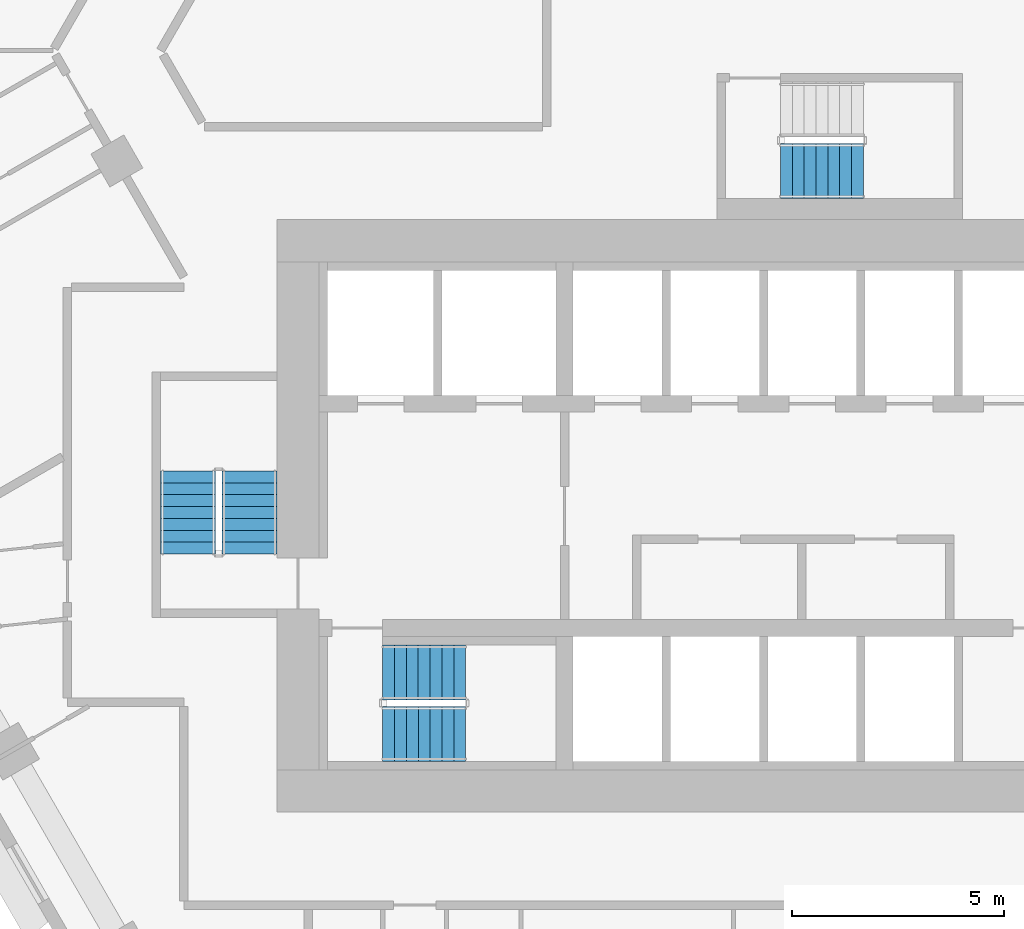
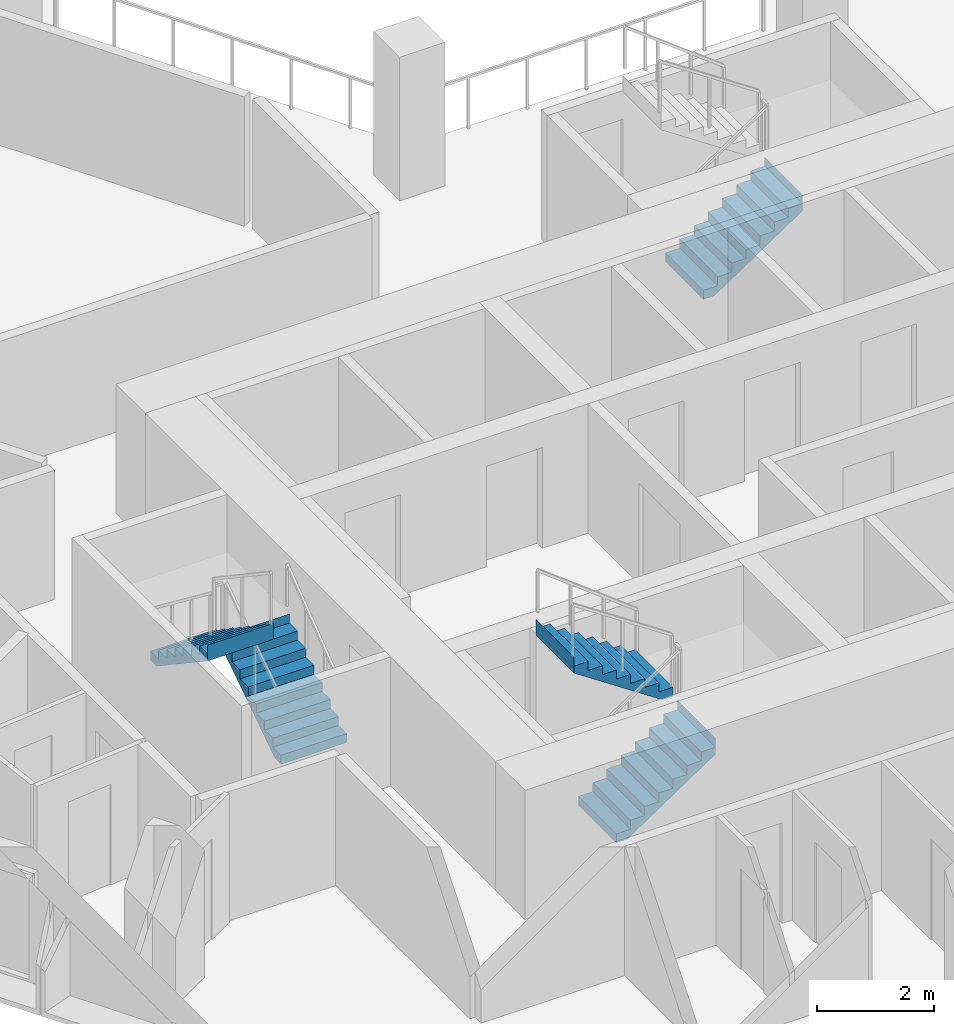
# One storey, part 10 of 15: 5 stair flights, 3 elements without a shape of their own.
"""IFC4 building model written with IfcOpenShell, lengths in metres."""

from ifc_helpers import new_model, si_unit, direction, frame, origin, place, context, subcontext, project, spatial, triangles, material, type_object, element, aggregate, save


model = new_model("IFC4")

# Units and contexts
model_context = context("Model", 3, precision=1e-05, world=origin(), true_north=direction((0.0, 1.0)))
body_context = subcontext(model_context, "Body", "Model", "MODEL_VIEW")
ifc_project = project(units=[si_unit("LENGTHUNIT", "METRE"), si_unit("AREAUNIT", "SQUARE_METRE"), si_unit("VOLUMEUNIT", "CUBIC_METRE"), si_unit("PLANEANGLEUNIT", "RADIAN"), si_unit("MASSUNIT", "GRAM", prefix="KILO")], contexts=[model_context])

# Site, building, storey
site_placement = place(None, origin())
site = spatial("IfcSite", under=ifc_project, at=site_placement, CompositionType="ELEMENT")
building_placement = place(site_placement, origin())
building = spatial("IfcBuilding", under=site, at=building_placement, Name="Beryl Residences", CompositionType="ELEMENT")
storey_placement = place(building_placement, frame((0.0, 0.0, 102.0)))
storey = spatial("IfcBuildingStorey", under=building, at=storey_placement, Name="L31", CompositionType="ELEMENT", Elevation=102.0)

# Stair, stair flights
ifc_material_1 = material(Name="Concrete C40/50", Category="concrete")
stair_type = type_object("IfcStairType", Name="ST1 protected exit stair, half-turn, 1300 mm flights", PredefinedType="HALF_TURN_STAIR", material=ifc_material_1)
stair_1_placement = place(storey_placement, origin())
stair_1 = element("IfcStair", 1, at=stair_1_placement, inside=storey, type_object=stair_type, Name="L31 PROTECTED EXIT STAIR ST-1", PredefinedType="HALF_TURN_STAIR")
ifc_material_2 = material(Name="Concrete C40/50", Category="concrete")
stair_flight_type = type_object("IfcStairFlightType", Name="SF1 stair flight 1300 mm", PredefinedType="STRAIGHT", material=ifc_material_2)
stair_flight_1_placement = place(storey_placement, frame((-10.800048828125, -17.14990234375, 0.0), z_axis=(0.0, 0.0, 1.0), x_axis=(1.0, 0.0, 0.0)))
stair_flight_1 = element("IfcStairFlight", 2, at=stair_flight_1_placement, type_object=stair_flight_type, Name="ST-1 flight 1", NumberOfRisers=8, NumberOfTreads=7, PredefinedType="STRAIGHT", RiserHeight=0.1875, TreadLength=0.28, context=body_context, shape_type="Tessellation", body=[
    triangles([(0.0, -0.64990234375, 0.0), (0.0, -0.324951171875, 0.0), (0.0, 0.0, 0.0), (0.0, 0.324951171875, 0.0), (0.0, 0.64990234375, 0.0), (0.0, -0.64990234375, 0.1875), (0.0, -0.324951171875, 0.1875), (0.0, 0.0, 0.1875), (0.0, 0.324951171875, 0.1875), (0.0, 0.64990234375, 0.1875), (0.280029296875, -0.64990234375, 0.1875), (0.280029296875, -0.324951171875, 0.1875), (0.280029296875, 0.0, 0.1875), (0.280029296875, 0.324951171875, 0.1875), (0.280029296875, 0.64990234375, 0.1875), (0.280029296875, -0.64990234375, 0.375), (0.280029296875, -0.324951171875, 0.375), (0.280029296875, 0.0, 0.375), (0.280029296875, 0.324951171875, 0.375), (0.280029296875, 0.64990234375, 0.375), (0.56005859375, -0.64990234375, 0.375), (0.56005859375, -0.324951171875, 0.375), (0.56005859375, 0.0, 0.375), (0.56005859375, 0.324951171875, 0.375), (0.56005859375, 0.64990234375, 0.375), (0.56005859375, -0.64990234375, 0.5625), (0.56005859375, -0.324951171875, 0.5625), (0.56005859375, 0.0, 0.5625), (0.56005859375, 0.324951171875, 0.5625), (0.56005859375, 0.64990234375, 0.5625), (0.840087890625, -0.64990234375, 0.5625), (0.840087890625, -0.324951171875, 0.5625), (0.840087890625, 0.0, 0.5625), (0.840087890625, 0.324951171875, 0.5625), (0.840087890625, 0.64990234375, 0.5625), (0.840087890625, -0.64990234375, 0.75), (0.840087890625, -0.324951171875, 0.75), (0.840087890625, 0.0, 0.75), (0.840087890625, 0.324951171875, 0.75), (0.840087890625, 0.64990234375, 0.75), (1.1201171875, -0.64990234375, 0.75), (1.1201171875, -0.324951171875, 0.75), (1.1201171875, 0.0, 0.75), (1.1201171875, 0.324951171875, 0.75), (1.1201171875, 0.64990234375, 0.75), (1.1201171875, -0.64990234375, 0.9375), (1.1201171875, -0.324951171875, 0.9375), (1.1201171875, 0.0, 0.9375), (1.1201171875, 0.324951171875, 0.9375), (1.1201171875, 0.64990234375, 0.9375), (1.39990234375, -0.64990234375, 0.9375), (1.39990234375, -0.324951171875, 0.9375), (1.39990234375, 0.0, 0.9375), (1.39990234375, 0.324951171875, 0.9375), (1.39990234375, 0.64990234375, 0.9375), (1.39990234375, -0.64990234375, 1.125), (1.39990234375, -0.324951171875, 1.125), (1.39990234375, 0.0, 1.125), (1.39990234375, 0.324951171875, 1.125), (1.39990234375, 0.64990234375, 1.125), (1.679931640625, -0.64990234375, 1.125), (1.679931640625, -0.324951171875, 1.125), (1.679931640625, 0.0, 1.125), (1.679931640625, 0.324951171875, 1.125), (1.679931640625, 0.64990234375, 1.125), (1.679931640625, -0.64990234375, 1.3125), (1.679931640625, -0.324951171875, 1.3125), (1.679931640625, 0.0, 1.3125), (1.679931640625, 0.324951171875, 1.3125), (1.679931640625, 0.64990234375, 1.3125), (1.9599609375, -0.64990234375, 1.3125), (1.9599609375, -0.324951171875, 1.3125), (1.9599609375, 0.0, 1.3125), (1.9599609375, 0.324951171875, 1.3125), (1.9599609375, 0.64990234375, 1.3125), (1.9599609375, -0.64990234375, 1.5), (1.9599609375, -0.324951171875, 1.5), (1.9599609375, 0.0, 1.5), (1.9599609375, 0.324951171875, 1.5), (1.9599609375, 0.64990234375, 1.5), (1.9609375, -0.64990234375, 1.5), (1.9609375, -0.324951171875, 1.5), (1.9609375, 0.0, 1.5), (1.9609375, 0.324951171875, 1.5), (1.9609375, 0.64990234375, 1.5), (1.9609375, -0.64990234375, 1.16796875), (1.9609375, -0.324951171875, 1.16796875), (1.9609375, 0.0, 1.16796875), (1.9609375, 0.324951171875, 1.16796875), (1.9609375, 0.64990234375, 1.16796875), (0.216796875, -0.64990234375, 0.0), (0.216796875, -0.324951171875, 0.0), (0.216796875, 0.0, 0.0), (0.216796875, 0.324951171875, 0.0), (0.216796875, 0.64990234375, 0.0)], [[1, 6, 7], [1, 7, 2], [2, 7, 8], [2, 8, 3], [3, 8, 9], [3, 9, 4], [4, 9, 10], [4, 10, 5], [6, 11, 12], [6, 12, 7], [7, 12, 13], [7, 13, 8], [8, 13, 14], [8, 14, 9], [9, 14, 15], [9, 15, 10], [11, 16, 17], [11, 17, 12], [12, 17, 18], [12, 18, 13], [13, 18, 19], [13, 19, 14], [14, 19, 20], [14, 20, 15], [16, 21, 22], [16, 22, 17], [17, 22, 23], [17, 23, 18], [18, 23, 24], [18, 24, 19], [19, 24, 25], [19, 25, 20], [21, 26, 27], [21, 27, 22], [22, 27, 28], [22, 28, 23], [23, 28, 29], [23, 29, 24], [24, 29, 30], [24, 30, 25], [26, 31, 32], [26, 32, 27], [27, 32, 33], [27, 33, 28], [28, 33, 34], [28, 34, 29], [29, 34, 35], [29, 35, 30], [31, 36, 37], [31, 37, 32], [32, 37, 38], [32, 38, 33], [33, 38, 39], [33, 39, 34], [34, 39, 40], [34, 40, 35], [36, 41, 42], [36, 42, 37], [37, 42, 43], [37, 43, 38], [38, 43, 44], [38, 44, 39], [39, 44, 45], [39, 45, 40], [41, 46, 47], [41, 47, 42], [42, 47, 48], [42, 48, 43], [43, 48, 49], [43, 49, 44], [44, 49, 50], [44, 50, 45], [46, 51, 52], [46, 52, 47], [47, 52, 53], [47, 53, 48], [48, 53, 54], [48, 54, 49], [49, 54, 55], [49, 55, 50], [51, 56, 57], [51, 57, 52], [52, 57, 58], [52, 58, 53], [53, 58, 59], [53, 59, 54], [54, 59, 60], [54, 60, 55], [56, 61, 62], [56, 62, 57], [57, 62, 63], [57, 63, 58], [58, 63, 64], [58, 64, 59], [59, 64, 65], [59, 65, 60], [61, 66, 67], [61, 67, 62], [62, 67, 68], [62, 68, 63], [63, 68, 69], [63, 69, 64], [64, 69, 70], [64, 70, 65], [66, 71, 72], [66, 72, 67], [67, 72, 73], [67, 73, 68], [68, 73, 74], [68, 74, 69], [69, 74, 75], [69, 75, 70], [71, 76, 77], [71, 77, 72], [72, 77, 78], [72, 78, 73], [73, 78, 79], [73, 79, 74], [74, 79, 80], [74, 80, 75], [76, 81, 82], [76, 82, 77], [77, 82, 83], [77, 83, 78], [78, 83, 84], [78, 84, 79], [79, 84, 85], [79, 85, 80], [81, 86, 87], [81, 87, 82], [82, 87, 88], [82, 88, 83], [83, 88, 89], [83, 89, 84], [84, 89, 90], [84, 90, 85], [86, 91, 92], [86, 92, 87], [87, 92, 93], [87, 93, 88], [88, 93, 94], [88, 94, 89], [89, 94, 95], [89, 95, 90], [91, 1, 2], [91, 2, 92], [92, 2, 3], [92, 3, 93], [93, 3, 4], [93, 4, 94], [94, 4, 5], [94, 5, 95], [1, 91, 86], [5, 90, 95], [86, 81, 76], [90, 80, 85], [86, 76, 71], [90, 75, 80], [86, 71, 66], [90, 70, 75], [86, 66, 61], [90, 65, 70], [61, 56, 51], [65, 55, 60], [86, 61, 51], [90, 55, 65], [51, 46, 41], [55, 45, 50], [86, 51, 41], [90, 45, 55], [41, 36, 31], [45, 35, 40], [86, 41, 31], [90, 35, 45], [31, 26, 21], [35, 25, 30], [86, 31, 21], [90, 25, 35], [21, 16, 11], [25, 15, 20], [86, 21, 11], [90, 15, 25], [1, 86, 11], [5, 15, 90], [11, 6, 1], [15, 5, 10]], closed=True),
])
stair_flight_2_placement = place(storey_placement, frame((-8.840087890625, -15.699951171875, 1.5), z_axis=(0.0, 0.0, 1.0), x_axis=(-1.0, 0.0, 0.0)))
stair_flight_2 = element("IfcStairFlight", 3, at=stair_flight_2_placement, type_object=stair_flight_type, Name="ST-1 flight 2", NumberOfRisers=8, NumberOfTreads=7, PredefinedType="STRAIGHT", RiserHeight=0.1875, TreadLength=0.28, context=body_context, shape_type="Tessellation", body=[
    triangles([(0.0, -0.64990234375, 0.0), (0.0, -0.324951171875, 0.0), (0.0, 0.0, 0.0), (0.0, 0.324951171875, 0.0), (0.0, 0.64990234375, 0.0), (0.0, -0.64990234375, 0.1875), (0.0, -0.324951171875, 0.1875), (0.0, 0.0, 0.1875), (0.0, 0.324951171875, 0.1875), (0.0, 0.64990234375, 0.1875), (0.280029296875, -0.64990234375, 0.1875), (0.280029296875, -0.324951171875, 0.1875), (0.280029296875, 0.0, 0.1875), (0.280029296875, 0.324951171875, 0.1875), (0.280029296875, 0.64990234375, 0.1875), (0.280029296875, -0.64990234375, 0.375), (0.280029296875, -0.324951171875, 0.375), (0.280029296875, 0.0, 0.375), (0.280029296875, 0.324951171875, 0.375), (0.280029296875, 0.64990234375, 0.375), (0.56005859375, -0.64990234375, 0.375), (0.56005859375, -0.324951171875, 0.375), (0.56005859375, 0.0, 0.375), (0.56005859375, 0.324951171875, 0.375), (0.56005859375, 0.64990234375, 0.375), (0.56005859375, -0.64990234375, 0.5625), (0.56005859375, -0.324951171875, 0.5625), (0.56005859375, 0.0, 0.5625), (0.56005859375, 0.324951171875, 0.5625), (0.56005859375, 0.64990234375, 0.5625), (0.840087890625, -0.64990234375, 0.5625), (0.840087890625, -0.324951171875, 0.5625), (0.840087890625, 0.0, 0.5625), (0.840087890625, 0.324951171875, 0.5625), (0.840087890625, 0.64990234375, 0.5625), (0.840087890625, -0.64990234375, 0.75), (0.840087890625, -0.324951171875, 0.75), (0.840087890625, 0.0, 0.75), (0.840087890625, 0.324951171875, 0.75), (0.840087890625, 0.64990234375, 0.75), (1.1201171875, -0.64990234375, 0.75), (1.1201171875, -0.324951171875, 0.75), (1.1201171875, 0.0, 0.75), (1.1201171875, 0.324951171875, 0.75), (1.1201171875, 0.64990234375, 0.75), (1.1201171875, -0.64990234375, 0.9375), (1.1201171875, -0.324951171875, 0.9375), (1.1201171875, 0.0, 0.9375), (1.1201171875, 0.324951171875, 0.9375), (1.1201171875, 0.64990234375, 0.9375), (1.39990234375, -0.64990234375, 0.9375), (1.39990234375, -0.324951171875, 0.9375), (1.39990234375, 0.0, 0.9375), (1.39990234375, 0.324951171875, 0.9375), (1.39990234375, 0.64990234375, 0.9375), (1.39990234375, -0.64990234375, 1.125), (1.39990234375, -0.324951171875, 1.125), (1.39990234375, 0.0, 1.125), (1.39990234375, 0.324951171875, 1.125), (1.39990234375, 0.64990234375, 1.125), (1.679931640625, -0.64990234375, 1.125), (1.679931640625, -0.324951171875, 1.125), (1.679931640625, 0.0, 1.125), (1.679931640625, 0.324951171875, 1.125), (1.679931640625, 0.64990234375, 1.125), (1.679931640625, -0.64990234375, 1.3125), (1.679931640625, -0.324951171875, 1.3125), (1.679931640625, 0.0, 1.3125), (1.679931640625, 0.324951171875, 1.3125), (1.679931640625, 0.64990234375, 1.3125), (1.9599609375, -0.64990234375, 1.3125), (1.9599609375, -0.324951171875, 1.3125), (1.9599609375, 0.0, 1.3125), (1.9599609375, 0.324951171875, 1.3125), (1.9599609375, 0.64990234375, 1.3125), (1.9599609375, -0.64990234375, 1.5), (1.9599609375, -0.324951171875, 1.5), (1.9599609375, 0.0, 1.5), (1.9599609375, 0.324951171875, 1.5), (1.9599609375, 0.64990234375, 1.5), (1.9609375, -0.64990234375, 1.5), (1.9609375, -0.324951171875, 1.5), (1.9609375, 0.0, 1.5), (1.9609375, 0.324951171875, 1.5), (1.9609375, 0.64990234375, 1.5), (1.9609375, -0.64990234375, 1.16796875), (1.9609375, -0.324951171875, 1.16796875), (1.9609375, 0.0, 1.16796875), (1.9609375, 0.324951171875, 1.16796875), (1.9609375, 0.64990234375, 1.16796875), (0.216796875, -0.64990234375, 0.0), (0.216796875, -0.324951171875, 0.0), (0.216796875, 0.0, 0.0), (0.216796875, 0.324951171875, 0.0), (0.216796875, 0.64990234375, 0.0)], [[1, 6, 7], [1, 7, 2], [2, 7, 8], [2, 8, 3], [3, 8, 9], [3, 9, 4], [4, 9, 10], [4, 10, 5], [6, 11, 12], [6, 12, 7], [7, 12, 13], [7, 13, 8], [8, 13, 14], [8, 14, 9], [9, 14, 15], [9, 15, 10], [11, 16, 17], [11, 17, 12], [12, 17, 18], [12, 18, 13], [13, 18, 19], [13, 19, 14], [14, 19, 20], [14, 20, 15], [16, 21, 22], [16, 22, 17], [17, 22, 23], [17, 23, 18], [18, 23, 24], [18, 24, 19], [19, 24, 25], [19, 25, 20], [21, 26, 27], [21, 27, 22], [22, 27, 28], [22, 28, 23], [23, 28, 29], [23, 29, 24], [24, 29, 30], [24, 30, 25], [26, 31, 32], [26, 32, 27], [27, 32, 33], [27, 33, 28], [28, 33, 34], [28, 34, 29], [29, 34, 35], [29, 35, 30], [31, 36, 37], [31, 37, 32], [32, 37, 38], [32, 38, 33], [33, 38, 39], [33, 39, 34], [34, 39, 40], [34, 40, 35], [36, 41, 42], [36, 42, 37], [37, 42, 43], [37, 43, 38], [38, 43, 44], [38, 44, 39], [39, 44, 45], [39, 45, 40], [41, 46, 47], [41, 47, 42], [42, 47, 48], [42, 48, 43], [43, 48, 49], [43, 49, 44], [44, 49, 50], [44, 50, 45], [46, 51, 52], [46, 52, 47], [47, 52, 53], [47, 53, 48], [48, 53, 54], [48, 54, 49], [49, 54, 55], [49, 55, 50], [51, 56, 57], [51, 57, 52], [52, 57, 58], [52, 58, 53], [53, 58, 59], [53, 59, 54], [54, 59, 60], [54, 60, 55], [56, 61, 62], [56, 62, 57], [57, 62, 63], [57, 63, 58], [58, 63, 64], [58, 64, 59], [59, 64, 65], [59, 65, 60], [61, 66, 67], [61, 67, 62], [62, 67, 68], [62, 68, 63], [63, 68, 69], [63, 69, 64], [64, 69, 70], [64, 70, 65], [66, 71, 72], [66, 72, 67], [67, 72, 73], [67, 73, 68], [68, 73, 74], [68, 74, 69], [69, 74, 75], [69, 75, 70], [71, 76, 77], [71, 77, 72], [72, 77, 78], [72, 78, 73], [73, 78, 79], [73, 79, 74], [74, 79, 80], [74, 80, 75], [76, 81, 82], [76, 82, 77], [77, 82, 83], [77, 83, 78], [78, 83, 84], [78, 84, 79], [79, 84, 85], [79, 85, 80], [81, 86, 87], [81, 87, 82], [82, 87, 88], [82, 88, 83], [83, 88, 89], [83, 89, 84], [84, 89, 90], [84, 90, 85], [86, 91, 92], [86, 92, 87], [87, 92, 93], [87, 93, 88], [88, 93, 94], [88, 94, 89], [89, 94, 95], [89, 95, 90], [91, 1, 2], [91, 2, 92], [92, 2, 3], [92, 3, 93], [93, 3, 4], [93, 4, 94], [94, 4, 5], [94, 5, 95], [1, 91, 86], [5, 90, 95], [86, 81, 76], [90, 80, 85], [86, 76, 71], [90, 75, 80], [86, 71, 66], [90, 70, 75], [86, 66, 61], [90, 65, 70], [61, 56, 51], [65, 55, 60], [86, 61, 51], [90, 55, 65], [51, 46, 41], [55, 45, 50], [86, 51, 41], [90, 45, 55], [41, 36, 31], [45, 35, 40], [86, 41, 31], [90, 35, 45], [31, 26, 21], [35, 25, 30], [86, 31, 21], [90, 25, 35], [21, 16, 11], [25, 15, 20], [86, 21, 11], [90, 15, 25], [1, 86, 11], [5, 15, 90], [11, 6, 1], [15, 5, 10]], closed=True),
])
aggregate(stair_1, [stair_flight_1, stair_flight_2])

stair_2_placement = place(storey_placement, origin())
stair_2 = element("IfcStair", 4, at=stair_2_placement, inside=storey, type_object=stair_type, Name="L31 PROTECTED EXIT STAIR ST-2", PredefinedType="HALF_TURN_STAIR")
stair_flight_3_placement = place(storey_placement, frame((-13.949951171875, -12.89990234375, 0.0), z_axis=(0.0, 0.0, 1.0), x_axis=(0.0, 1.0, 0.0)))
stair_flight_3 = element("IfcStairFlight", 5, at=stair_flight_3_placement, type_object=stair_flight_type, Name="ST-2 flight 1", NumberOfRisers=8, NumberOfTreads=7, PredefinedType="STRAIGHT", RiserHeight=0.1875, TreadLength=0.28, context=body_context, shape_type="Tessellation", body=[
    triangles([(0.0, -0.64990234375, 0.0), (0.0, -0.324951171875, 0.0), (0.0, 0.0, 0.0), (0.0, 0.324951171875, 0.0), (0.0, 0.64990234375, 0.0), (0.0, -0.64990234375, 0.1875), (0.0, -0.324951171875, 0.1875), (0.0, 0.0, 0.1875), (0.0, 0.324951171875, 0.1875), (0.0, 0.64990234375, 0.1875), (0.280029296875, -0.64990234375, 0.1875), (0.280029296875, -0.324951171875, 0.1875), (0.280029296875, 0.0, 0.1875), (0.280029296875, 0.324951171875, 0.1875), (0.280029296875, 0.64990234375, 0.1875), (0.280029296875, -0.64990234375, 0.375), (0.280029296875, -0.324951171875, 0.375), (0.280029296875, 0.0, 0.375), (0.280029296875, 0.324951171875, 0.375), (0.280029296875, 0.64990234375, 0.375), (0.56005859375, -0.64990234375, 0.375), (0.56005859375, -0.324951171875, 0.375), (0.56005859375, 0.0, 0.375), (0.56005859375, 0.324951171875, 0.375), (0.56005859375, 0.64990234375, 0.375), (0.56005859375, -0.64990234375, 0.5625), (0.56005859375, -0.324951171875, 0.5625), (0.56005859375, 0.0, 0.5625), (0.56005859375, 0.324951171875, 0.5625), (0.56005859375, 0.64990234375, 0.5625), (0.840087890625, -0.64990234375, 0.5625), (0.840087890625, -0.324951171875, 0.5625), (0.840087890625, 0.0, 0.5625), (0.840087890625, 0.324951171875, 0.5625), (0.840087890625, 0.64990234375, 0.5625), (0.840087890625, -0.64990234375, 0.75), (0.840087890625, -0.324951171875, 0.75), (0.840087890625, 0.0, 0.75), (0.840087890625, 0.324951171875, 0.75), (0.840087890625, 0.64990234375, 0.75), (1.1201171875, -0.64990234375, 0.75), (1.1201171875, -0.324951171875, 0.75), (1.1201171875, 0.0, 0.75), (1.1201171875, 0.324951171875, 0.75), (1.1201171875, 0.64990234375, 0.75), (1.1201171875, -0.64990234375, 0.9375), (1.1201171875, -0.324951171875, 0.9375), (1.1201171875, 0.0, 0.9375), (1.1201171875, 0.324951171875, 0.9375), (1.1201171875, 0.64990234375, 0.9375), (1.39990234375, -0.64990234375, 0.9375), (1.39990234375, -0.324951171875, 0.9375), (1.39990234375, 0.0, 0.9375), (1.39990234375, 0.324951171875, 0.9375), (1.39990234375, 0.64990234375, 0.9375), (1.39990234375, -0.64990234375, 1.125), (1.39990234375, -0.324951171875, 1.125), (1.39990234375, 0.0, 1.125), (1.39990234375, 0.324951171875, 1.125), (1.39990234375, 0.64990234375, 1.125), (1.679931640625, -0.64990234375, 1.125), (1.679931640625, -0.324951171875, 1.125), (1.679931640625, 0.0, 1.125), (1.679931640625, 0.324951171875, 1.125), (1.679931640625, 0.64990234375, 1.125), (1.679931640625, -0.64990234375, 1.3125), (1.679931640625, -0.324951171875, 1.3125), (1.679931640625, 0.0, 1.3125), (1.679931640625, 0.324951171875, 1.3125), (1.679931640625, 0.64990234375, 1.3125), (1.9599609375, -0.64990234375, 1.3125), (1.9599609375, -0.324951171875, 1.3125), (1.9599609375, 0.0, 1.3125), (1.9599609375, 0.324951171875, 1.3125), (1.9599609375, 0.64990234375, 1.3125), (1.9599609375, -0.64990234375, 1.5), (1.9599609375, -0.324951171875, 1.5), (1.9599609375, 0.0, 1.5), (1.9599609375, 0.324951171875, 1.5), (1.9599609375, 0.64990234375, 1.5), (1.9609375, -0.64990234375, 1.5), (1.9609375, -0.324951171875, 1.5), (1.9609375, 0.0, 1.5), (1.9609375, 0.324951171875, 1.5), (1.9609375, 0.64990234375, 1.5), (1.9609375, -0.64990234375, 1.16796875), (1.9609375, -0.324951171875, 1.16796875), (1.9609375, 0.0, 1.16796875), (1.9609375, 0.324951171875, 1.16796875), (1.9609375, 0.64990234375, 1.16796875), (0.216796875, -0.64990234375, 0.0), (0.216796875, -0.324951171875, 0.0), (0.216796875, 0.0, 0.0), (0.216796875, 0.324951171875, 0.0), (0.216796875, 0.64990234375, 0.0)], [[1, 6, 7], [1, 7, 2], [2, 7, 8], [2, 8, 3], [3, 8, 9], [3, 9, 4], [4, 9, 10], [4, 10, 5], [6, 11, 12], [6, 12, 7], [7, 12, 13], [7, 13, 8], [8, 13, 14], [8, 14, 9], [9, 14, 15], [9, 15, 10], [11, 16, 17], [11, 17, 12], [12, 17, 18], [12, 18, 13], [13, 18, 19], [13, 19, 14], [14, 19, 20], [14, 20, 15], [16, 21, 22], [16, 22, 17], [17, 22, 23], [17, 23, 18], [18, 23, 24], [18, 24, 19], [19, 24, 25], [19, 25, 20], [21, 26, 27], [21, 27, 22], [22, 27, 28], [22, 28, 23], [23, 28, 29], [23, 29, 24], [24, 29, 30], [24, 30, 25], [26, 31, 32], [26, 32, 27], [27, 32, 33], [27, 33, 28], [28, 33, 34], [28, 34, 29], [29, 34, 35], [29, 35, 30], [31, 36, 37], [31, 37, 32], [32, 37, 38], [32, 38, 33], [33, 38, 39], [33, 39, 34], [34, 39, 40], [34, 40, 35], [36, 41, 42], [36, 42, 37], [37, 42, 43], [37, 43, 38], [38, 43, 44], [38, 44, 39], [39, 44, 45], [39, 45, 40], [41, 46, 47], [41, 47, 42], [42, 47, 48], [42, 48, 43], [43, 48, 49], [43, 49, 44], [44, 49, 50], [44, 50, 45], [46, 51, 52], [46, 52, 47], [47, 52, 53], [47, 53, 48], [48, 53, 54], [48, 54, 49], [49, 54, 55], [49, 55, 50], [51, 56, 57], [51, 57, 52], [52, 57, 58], [52, 58, 53], [53, 58, 59], [53, 59, 54], [54, 59, 60], [54, 60, 55], [56, 61, 62], [56, 62, 57], [57, 62, 63], [57, 63, 58], [58, 63, 64], [58, 64, 59], [59, 64, 65], [59, 65, 60], [61, 66, 67], [61, 67, 62], [62, 67, 68], [62, 68, 63], [63, 68, 69], [63, 69, 64], [64, 69, 70], [64, 70, 65], [66, 71, 72], [66, 72, 67], [67, 72, 73], [67, 73, 68], [68, 73, 74], [68, 74, 69], [69, 74, 75], [69, 75, 70], [71, 76, 77], [71, 77, 72], [72, 77, 78], [72, 78, 73], [73, 78, 79], [73, 79, 74], [74, 79, 80], [74, 80, 75], [76, 81, 82], [76, 82, 77], [77, 82, 83], [77, 83, 78], [78, 83, 84], [78, 84, 79], [79, 84, 85], [79, 85, 80], [81, 86, 87], [81, 87, 82], [82, 87, 88], [82, 88, 83], [83, 88, 89], [83, 89, 84], [84, 89, 90], [84, 90, 85], [86, 91, 92], [86, 92, 87], [87, 92, 93], [87, 93, 88], [88, 93, 94], [88, 94, 89], [89, 94, 95], [89, 95, 90], [91, 1, 2], [91, 2, 92], [92, 2, 3], [92, 3, 93], [93, 3, 4], [93, 4, 94], [94, 4, 5], [94, 5, 95], [1, 91, 86], [5, 90, 95], [86, 81, 76], [90, 80, 85], [86, 76, 71], [90, 75, 80], [86, 71, 66], [90, 70, 75], [86, 66, 61], [90, 65, 70], [61, 56, 51], [65, 55, 60], [86, 61, 51], [90, 55, 65], [51, 46, 41], [55, 45, 50], [86, 51, 41], [90, 45, 55], [41, 36, 31], [45, 35, 40], [86, 41, 31], [90, 35, 45], [31, 26, 21], [35, 25, 30], [86, 31, 21], [90, 25, 35], [21, 16, 11], [25, 15, 20], [86, 21, 11], [90, 15, 25], [1, 86, 11], [5, 15, 90], [11, 6, 1], [15, 5, 10]], closed=True),
])
stair_flight_4_placement = place(storey_placement, frame((-15.39990234375, -10.93994140625, 1.5), z_axis=(0.0, 0.0, 1.0), x_axis=(0.0, -1.0, 0.0)))
stair_flight_4 = element("IfcStairFlight", 6, at=stair_flight_4_placement, type_object=stair_flight_type, Name="ST-2 flight 2", NumberOfRisers=8, NumberOfTreads=7, PredefinedType="STRAIGHT", RiserHeight=0.1875, TreadLength=0.28, context=body_context, shape_type="Tessellation", body=[
    triangles([(0.0, -0.64990234375, 0.0), (0.0, -0.324951171875, 0.0), (0.0, 0.0, 0.0), (0.0, 0.324951171875, 0.0), (0.0, 0.64990234375, 0.0), (0.0, -0.64990234375, 0.1875), (0.0, -0.324951171875, 0.1875), (0.0, 0.0, 0.1875), (0.0, 0.324951171875, 0.1875), (0.0, 0.64990234375, 0.1875), (0.280029296875, -0.64990234375, 0.1875), (0.280029296875, -0.324951171875, 0.1875), (0.280029296875, 0.0, 0.1875), (0.280029296875, 0.324951171875, 0.1875), (0.280029296875, 0.64990234375, 0.1875), (0.280029296875, -0.64990234375, 0.375), (0.280029296875, -0.324951171875, 0.375), (0.280029296875, 0.0, 0.375), (0.280029296875, 0.324951171875, 0.375), (0.280029296875, 0.64990234375, 0.375), (0.56005859375, -0.64990234375, 0.375), (0.56005859375, -0.324951171875, 0.375), (0.56005859375, 0.0, 0.375), (0.56005859375, 0.324951171875, 0.375), (0.56005859375, 0.64990234375, 0.375), (0.56005859375, -0.64990234375, 0.5625), (0.56005859375, -0.324951171875, 0.5625), (0.56005859375, 0.0, 0.5625), (0.56005859375, 0.324951171875, 0.5625), (0.56005859375, 0.64990234375, 0.5625), (0.840087890625, -0.64990234375, 0.5625), (0.840087890625, -0.324951171875, 0.5625), (0.840087890625, 0.0, 0.5625), (0.840087890625, 0.324951171875, 0.5625), (0.840087890625, 0.64990234375, 0.5625), (0.840087890625, -0.64990234375, 0.75), (0.840087890625, -0.324951171875, 0.75), (0.840087890625, 0.0, 0.75), (0.840087890625, 0.324951171875, 0.75), (0.840087890625, 0.64990234375, 0.75), (1.1201171875, -0.64990234375, 0.75), (1.1201171875, -0.324951171875, 0.75), (1.1201171875, 0.0, 0.75), (1.1201171875, 0.324951171875, 0.75), (1.1201171875, 0.64990234375, 0.75), (1.1201171875, -0.64990234375, 0.9375), (1.1201171875, -0.324951171875, 0.9375), (1.1201171875, 0.0, 0.9375), (1.1201171875, 0.324951171875, 0.9375), (1.1201171875, 0.64990234375, 0.9375), (1.39990234375, -0.64990234375, 0.9375), (1.39990234375, -0.324951171875, 0.9375), (1.39990234375, 0.0, 0.9375), (1.39990234375, 0.324951171875, 0.9375), (1.39990234375, 0.64990234375, 0.9375), (1.39990234375, -0.64990234375, 1.125), (1.39990234375, -0.324951171875, 1.125), (1.39990234375, 0.0, 1.125), (1.39990234375, 0.324951171875, 1.125), (1.39990234375, 0.64990234375, 1.125), (1.679931640625, -0.64990234375, 1.125), (1.679931640625, -0.324951171875, 1.125), (1.679931640625, 0.0, 1.125), (1.679931640625, 0.324951171875, 1.125), (1.679931640625, 0.64990234375, 1.125), (1.679931640625, -0.64990234375, 1.3125), (1.679931640625, -0.324951171875, 1.3125), (1.679931640625, 0.0, 1.3125), (1.679931640625, 0.324951171875, 1.3125), (1.679931640625, 0.64990234375, 1.3125), (1.9599609375, -0.64990234375, 1.3125), (1.9599609375, -0.324951171875, 1.3125), (1.9599609375, 0.0, 1.3125), (1.9599609375, 0.324951171875, 1.3125), (1.9599609375, 0.64990234375, 1.3125), (1.9599609375, -0.64990234375, 1.5), (1.9599609375, -0.324951171875, 1.5), (1.9599609375, 0.0, 1.5), (1.9599609375, 0.324951171875, 1.5), (1.9599609375, 0.64990234375, 1.5), (1.9609375, -0.64990234375, 1.5), (1.9609375, -0.324951171875, 1.5), (1.9609375, 0.0, 1.5), (1.9609375, 0.324951171875, 1.5), (1.9609375, 0.64990234375, 1.5), (1.9609375, -0.64990234375, 1.16796875), (1.9609375, -0.324951171875, 1.16796875), (1.9609375, 0.0, 1.16796875), (1.9609375, 0.324951171875, 1.16796875), (1.9609375, 0.64990234375, 1.16796875), (0.216796875, -0.64990234375, 0.0), (0.216796875, -0.324951171875, 0.0), (0.216796875, 0.0, 0.0), (0.216796875, 0.324951171875, 0.0), (0.216796875, 0.64990234375, 0.0)], [[1, 6, 7], [1, 7, 2], [2, 7, 8], [2, 8, 3], [3, 8, 9], [3, 9, 4], [4, 9, 10], [4, 10, 5], [6, 11, 12], [6, 12, 7], [7, 12, 13], [7, 13, 8], [8, 13, 14], [8, 14, 9], [9, 14, 15], [9, 15, 10], [11, 16, 17], [11, 17, 12], [12, 17, 18], [12, 18, 13], [13, 18, 19], [13, 19, 14], [14, 19, 20], [14, 20, 15], [16, 21, 22], [16, 22, 17], [17, 22, 23], [17, 23, 18], [18, 23, 24], [18, 24, 19], [19, 24, 25], [19, 25, 20], [21, 26, 27], [21, 27, 22], [22, 27, 28], [22, 28, 23], [23, 28, 29], [23, 29, 24], [24, 29, 30], [24, 30, 25], [26, 31, 32], [26, 32, 27], [27, 32, 33], [27, 33, 28], [28, 33, 34], [28, 34, 29], [29, 34, 35], [29, 35, 30], [31, 36, 37], [31, 37, 32], [32, 37, 38], [32, 38, 33], [33, 38, 39], [33, 39, 34], [34, 39, 40], [34, 40, 35], [36, 41, 42], [36, 42, 37], [37, 42, 43], [37, 43, 38], [38, 43, 44], [38, 44, 39], [39, 44, 45], [39, 45, 40], [41, 46, 47], [41, 47, 42], [42, 47, 48], [42, 48, 43], [43, 48, 49], [43, 49, 44], [44, 49, 50], [44, 50, 45], [46, 51, 52], [46, 52, 47], [47, 52, 53], [47, 53, 48], [48, 53, 54], [48, 54, 49], [49, 54, 55], [49, 55, 50], [51, 56, 57], [51, 57, 52], [52, 57, 58], [52, 58, 53], [53, 58, 59], [53, 59, 54], [54, 59, 60], [54, 60, 55], [56, 61, 62], [56, 62, 57], [57, 62, 63], [57, 63, 58], [58, 63, 64], [58, 64, 59], [59, 64, 65], [59, 65, 60], [61, 66, 67], [61, 67, 62], [62, 67, 68], [62, 68, 63], [63, 68, 69], [63, 69, 64], [64, 69, 70], [64, 70, 65], [66, 71, 72], [66, 72, 67], [67, 72, 73], [67, 73, 68], [68, 73, 74], [68, 74, 69], [69, 74, 75], [69, 75, 70], [71, 76, 77], [71, 77, 72], [72, 77, 78], [72, 78, 73], [73, 78, 79], [73, 79, 74], [74, 79, 80], [74, 80, 75], [76, 81, 82], [76, 82, 77], [77, 82, 83], [77, 83, 78], [78, 83, 84], [78, 84, 79], [79, 84, 85], [79, 85, 80], [81, 86, 87], [81, 87, 82], [82, 87, 88], [82, 88, 83], [83, 88, 89], [83, 89, 84], [84, 89, 90], [84, 90, 85], [86, 91, 92], [86, 92, 87], [87, 92, 93], [87, 93, 88], [88, 93, 94], [88, 94, 89], [89, 94, 95], [89, 95, 90], [91, 1, 2], [91, 2, 92], [92, 2, 3], [92, 3, 93], [93, 3, 4], [93, 4, 94], [94, 4, 5], [94, 5, 95], [1, 91, 86], [5, 90, 95], [86, 81, 76], [90, 80, 85], [86, 76, 71], [90, 75, 80], [86, 71, 66], [90, 70, 75], [86, 66, 61], [90, 65, 70], [61, 56, 51], [65, 55, 60], [86, 61, 51], [90, 55, 65], [51, 46, 41], [55, 45, 50], [86, 51, 41], [90, 45, 55], [41, 36, 31], [45, 35, 40], [86, 41, 31], [90, 35, 45], [31, 26, 21], [35, 25, 30], [86, 31, 21], [90, 25, 35], [21, 16, 11], [25, 15, 20], [86, 21, 11], [90, 15, 25], [1, 86, 11], [5, 15, 90], [11, 6, 1], [15, 5, 10]], closed=True),
])
aggregate(stair_2, [stair_flight_3, stair_flight_4])

# Stair, stair flight
stair_3_placement = place(storey_placement, origin())
stair_3 = element("IfcStair", 7, at=stair_3_placement, inside=storey, type_object=stair_type, Name="L31 PROTECTED EXIT STAIR ST-4", PredefinedType="HALF_TURN_STAIR")
stair_flight_5_placement = place(storey_placement, frame((-1.39990234375, -3.85009765625, 0.0), z_axis=(0.0, 0.0, 1.0), x_axis=(1.0, 0.0, 0.0)))
stair_flight_5 = element("IfcStairFlight", 8, at=stair_flight_5_placement, type_object=stair_flight_type, Name="ST-4 flight 1", NumberOfRisers=8, NumberOfTreads=7, PredefinedType="STRAIGHT", RiserHeight=0.1875, TreadLength=0.28, context=body_context, shape_type="Tessellation", body=[
    triangles([(0.0, -0.64990234375, 0.0), (0.0, -0.324951171875, 0.0), (0.0, 0.0, 0.0), (0.0, 0.324951171875, 0.0), (0.0, 0.64990234375, 0.0), (0.0, -0.64990234375, 0.1875), (0.0, -0.324951171875, 0.1875), (0.0, 0.0, 0.1875), (0.0, 0.324951171875, 0.1875), (0.0, 0.64990234375, 0.1875), (0.280029296875, -0.64990234375, 0.1875), (0.280029296875, -0.324951171875, 0.1875), (0.280029296875, 0.0, 0.1875), (0.280029296875, 0.324951171875, 0.1875), (0.280029296875, 0.64990234375, 0.1875), (0.280029296875, -0.64990234375, 0.375), (0.280029296875, -0.324951171875, 0.375), (0.280029296875, 0.0, 0.375), (0.280029296875, 0.324951171875, 0.375), (0.280029296875, 0.64990234375, 0.375), (0.56005859375, -0.64990234375, 0.375), (0.56005859375, -0.324951171875, 0.375), (0.56005859375, 0.0, 0.375), (0.56005859375, 0.324951171875, 0.375), (0.56005859375, 0.64990234375, 0.375), (0.56005859375, -0.64990234375, 0.5625), (0.56005859375, -0.324951171875, 0.5625), (0.56005859375, 0.0, 0.5625), (0.56005859375, 0.324951171875, 0.5625), (0.56005859375, 0.64990234375, 0.5625), (0.840087890625, -0.64990234375, 0.5625), (0.840087890625, -0.324951171875, 0.5625), (0.840087890625, 0.0, 0.5625), (0.840087890625, 0.324951171875, 0.5625), (0.840087890625, 0.64990234375, 0.5625), (0.840087890625, -0.64990234375, 0.75), (0.840087890625, -0.324951171875, 0.75), (0.840087890625, 0.0, 0.75), (0.840087890625, 0.324951171875, 0.75), (0.840087890625, 0.64990234375, 0.75), (1.1201171875, -0.64990234375, 0.75), (1.1201171875, -0.324951171875, 0.75), (1.1201171875, 0.0, 0.75), (1.1201171875, 0.324951171875, 0.75), (1.1201171875, 0.64990234375, 0.75), (1.1201171875, -0.64990234375, 0.9375), (1.1201171875, -0.324951171875, 0.9375), (1.1201171875, 0.0, 0.9375), (1.1201171875, 0.324951171875, 0.9375), (1.1201171875, 0.64990234375, 0.9375), (1.39990234375, -0.64990234375, 0.9375), (1.39990234375, -0.324951171875, 0.9375), (1.39990234375, 0.0, 0.9375), (1.39990234375, 0.324951171875, 0.9375), (1.39990234375, 0.64990234375, 0.9375), (1.39990234375, -0.64990234375, 1.125), (1.39990234375, -0.324951171875, 1.125), (1.39990234375, 0.0, 1.125), (1.39990234375, 0.324951171875, 1.125), (1.39990234375, 0.64990234375, 1.125), (1.679931640625, -0.64990234375, 1.125), (1.679931640625, -0.324951171875, 1.125), (1.679931640625, 0.0, 1.125), (1.679931640625, 0.324951171875, 1.125), (1.679931640625, 0.64990234375, 1.125), (1.679931640625, -0.64990234375, 1.3125), (1.679931640625, -0.324951171875, 1.3125), (1.679931640625, 0.0, 1.3125), (1.679931640625, 0.324951171875, 1.3125), (1.679931640625, 0.64990234375, 1.3125), (1.9599609375, -0.64990234375, 1.3125), (1.9599609375, -0.324951171875, 1.3125), (1.9599609375, 0.0, 1.3125), (1.9599609375, 0.324951171875, 1.3125), (1.9599609375, 0.64990234375, 1.3125), (1.9599609375, -0.64990234375, 1.5), (1.9599609375, -0.324951171875, 1.5), (1.9599609375, 0.0, 1.5), (1.9599609375, 0.324951171875, 1.5), (1.9599609375, 0.64990234375, 1.5), (1.9609375, -0.64990234375, 1.5), (1.9609375, -0.324951171875, 1.5), (1.9609375, 0.0, 1.5), (1.9609375, 0.324951171875, 1.5), (1.9609375, 0.64990234375, 1.5), (1.9609375, -0.64990234375, 1.16796875), (1.9609375, -0.324951171875, 1.16796875), (1.9609375, 0.0, 1.16796875), (1.9609375, 0.324951171875, 1.16796875), (1.9609375, 0.64990234375, 1.16796875), (0.216796875, -0.64990234375, 0.0), (0.216796875, -0.324951171875, 0.0), (0.216796875, 0.0, 0.0), (0.216796875, 0.324951171875, 0.0), (0.216796875, 0.64990234375, 0.0)], [[1, 6, 7], [1, 7, 2], [2, 7, 8], [2, 8, 3], [3, 8, 9], [3, 9, 4], [4, 9, 10], [4, 10, 5], [6, 11, 12], [6, 12, 7], [7, 12, 13], [7, 13, 8], [8, 13, 14], [8, 14, 9], [9, 14, 15], [9, 15, 10], [11, 16, 17], [11, 17, 12], [12, 17, 18], [12, 18, 13], [13, 18, 19], [13, 19, 14], [14, 19, 20], [14, 20, 15], [16, 21, 22], [16, 22, 17], [17, 22, 23], [17, 23, 18], [18, 23, 24], [18, 24, 19], [19, 24, 25], [19, 25, 20], [21, 26, 27], [21, 27, 22], [22, 27, 28], [22, 28, 23], [23, 28, 29], [23, 29, 24], [24, 29, 30], [24, 30, 25], [26, 31, 32], [26, 32, 27], [27, 32, 33], [27, 33, 28], [28, 33, 34], [28, 34, 29], [29, 34, 35], [29, 35, 30], [31, 36, 37], [31, 37, 32], [32, 37, 38], [32, 38, 33], [33, 38, 39], [33, 39, 34], [34, 39, 40], [34, 40, 35], [36, 41, 42], [36, 42, 37], [37, 42, 43], [37, 43, 38], [38, 43, 44], [38, 44, 39], [39, 44, 45], [39, 45, 40], [41, 46, 47], [41, 47, 42], [42, 47, 48], [42, 48, 43], [43, 48, 49], [43, 49, 44], [44, 49, 50], [44, 50, 45], [46, 51, 52], [46, 52, 47], [47, 52, 53], [47, 53, 48], [48, 53, 54], [48, 54, 49], [49, 54, 55], [49, 55, 50], [51, 56, 57], [51, 57, 52], [52, 57, 58], [52, 58, 53], [53, 58, 59], [53, 59, 54], [54, 59, 60], [54, 60, 55], [56, 61, 62], [56, 62, 57], [57, 62, 63], [57, 63, 58], [58, 63, 64], [58, 64, 59], [59, 64, 65], [59, 65, 60], [61, 66, 67], [61, 67, 62], [62, 67, 68], [62, 68, 63], [63, 68, 69], [63, 69, 64], [64, 69, 70], [64, 70, 65], [66, 71, 72], [66, 72, 67], [67, 72, 73], [67, 73, 68], [68, 73, 74], [68, 74, 69], [69, 74, 75], [69, 75, 70], [71, 76, 77], [71, 77, 72], [72, 77, 78], [72, 78, 73], [73, 78, 79], [73, 79, 74], [74, 79, 80], [74, 80, 75], [76, 81, 82], [76, 82, 77], [77, 82, 83], [77, 83, 78], [78, 83, 84], [78, 84, 79], [79, 84, 85], [79, 85, 80], [81, 86, 87], [81, 87, 82], [82, 87, 88], [82, 88, 83], [83, 88, 89], [83, 89, 84], [84, 89, 90], [84, 90, 85], [86, 91, 92], [86, 92, 87], [87, 92, 93], [87, 93, 88], [88, 93, 94], [88, 94, 89], [89, 94, 95], [89, 95, 90], [91, 1, 2], [91, 2, 92], [92, 2, 3], [92, 3, 93], [93, 3, 4], [93, 4, 94], [94, 4, 5], [94, 5, 95], [1, 91, 86], [5, 90, 95], [86, 81, 76], [90, 80, 85], [86, 76, 71], [90, 75, 80], [86, 71, 66], [90, 70, 75], [86, 66, 61], [90, 65, 70], [61, 56, 51], [65, 55, 60], [86, 61, 51], [90, 55, 65], [51, 46, 41], [55, 45, 50], [86, 51, 41], [90, 45, 55], [41, 36, 31], [45, 35, 40], [86, 41, 31], [90, 35, 45], [31, 26, 21], [35, 25, 30], [86, 31, 21], [90, 25, 35], [21, 16, 11], [25, 15, 20], [86, 21, 11], [90, 15, 25], [1, 86, 11], [5, 15, 90], [11, 6, 1], [15, 5, 10]], closed=True),
])
aggregate(stair_3, [stair_flight_5])

save(model, "model.ifc")
